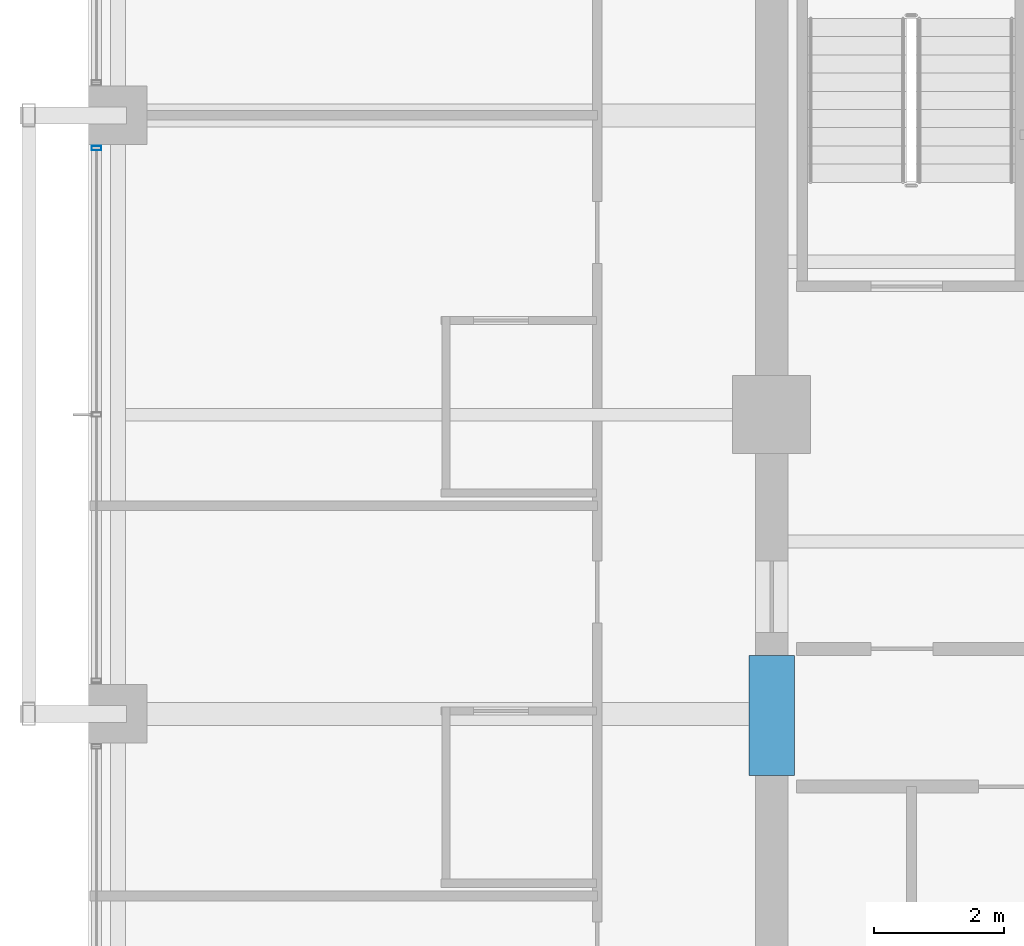
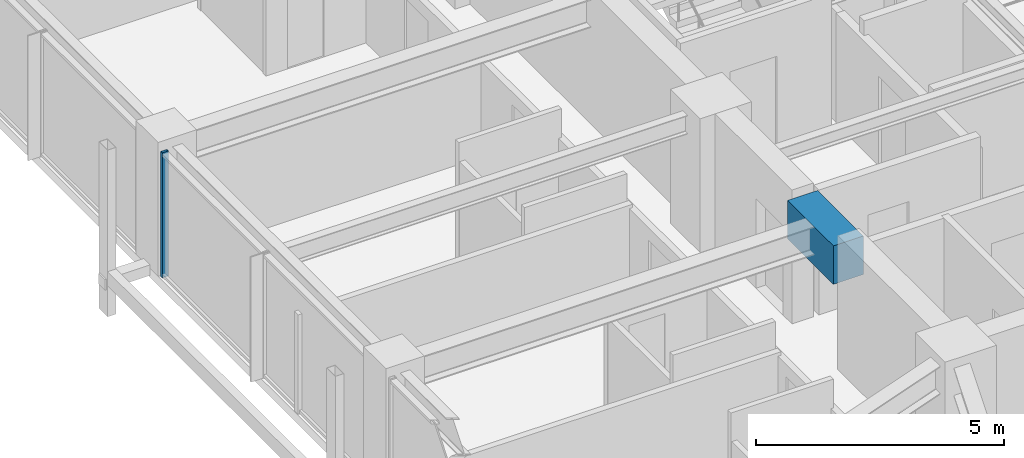
# One storey, part 9 of 37: 1 beam, 1 member, 1 element without a shape of its own.
"""IFC4 building model written with IfcOpenShell, lengths in metres."""

from ifc_helpers import new_model, si_unit, direction, frame, origin, origin_2d, place, context, subcontext, project, spatial, rectangle, hollow_rectangle, extrude, material, material_profile, profile_set, type_object, element, aggregate, save


model = new_model("IFC4")

# Units and contexts
model_context = context("Model", 3, precision=1e-05, world=origin(), true_north=direction((0.0, 1.0)))
body_context = subcontext(model_context, "Body", "Model", "MODEL_VIEW")
ifc_project = project(units=[si_unit("LENGTHUNIT", "METRE"), si_unit("AREAUNIT", "SQUARE_METRE"), si_unit("VOLUMEUNIT", "CUBIC_METRE"), si_unit("PLANEANGLEUNIT", "RADIAN"), si_unit("MASSUNIT", "GRAM", prefix="KILO")], contexts=[model_context])

# Site, building, storey
site_placement = place(None, origin())
site = spatial("IfcSite", under=ifc_project, at=site_placement, CompositionType="ELEMENT")
building_placement = place(site_placement, origin())
building = spatial("IfcBuilding", under=site, at=building_placement, Name="Kolvaren Belvedere", CompositionType="ELEMENT")
storey_placement = place(building_placement, frame((0.0, 0.0, 173.39990234375)))
storey = spatial("IfcBuildingStorey", under=building, at=storey_placement, Name="L50", CompositionType="ELEMENT", Elevation=173.39990234375)

# Beam
ifc_material_1 = material(Name="Concrete C60/75", Category="concrete")
ifc_material_profile_1 = material_profile(ifc_material_1, rectangle(XDim=0.699951171875, YDim=0.949951171875, at=origin_2d()), Name="RC 700X950")
ifc_profile_set_1 = profile_set([ifc_material_profile_1], Name="Concrete C60/75")
beam_type = type_object("IfcBeamType", Name="BM-LINT-950", PredefinedType="LINTEL", material=ifc_profile_set_1)
beam_placement = place(storey_placement, frame((-9.89990234375, -5.550048828125, 2.60498046875), z_axis=(0.0, 1.0, 0.0), x_axis=(-1.0, 0.0, 0.0)))
element("IfcBeam", 1, at=beam_placement, inside=storey, type_object=beam_type, Name="L50 West Core Coupling Lintel", PredefinedType="LINTEL", context=body_context, shape_type="SweptSolid", body=[
    extrude(rectangle(XDim=0.699951171875, YDim=0.949951171875, at=origin_2d()), origin(), (0.0, 0.0, 1.0), 1.85009765625),
])

# Curtain wall, member
ifc_material_2 = material(Name="Anodised pale-metal aluminium AA 6063-T6", Category="aluminium")
curtain_wall_type = type_object("IfcCurtainWallType", Name="CW-Z5-HIGH", PredefinedType="NOTDEFINED", material=ifc_material_2)
curtain_wall_placement = place(storey_placement, origin())
curtain_wall = element("IfcCurtainWall", 2, at=curtain_wall_placement, inside=storey, type_object=curtain_wall_type, Name="L50 Unitised Curtain Wall FCW-L50-W-B2", PredefinedType="NOTDEFINED")
ifc_material_3 = material(Name="Anodised pale-metal aluminium AA 6063-T6", Category="aluminium")
ifc_material_profile_2 = material_profile(ifc_material_3, hollow_rectangle(XDim=0.070068359375, YDim=0.14990234375, WallThickness=0.004150390625, at=origin_2d()), Name="ALU-MUL-150X70")
ifc_profile_set_2 = profile_set([ifc_material_profile_2], Name="Anodised pale-metal aluminium AA 6063-T6")
member_type = type_object("IfcMemberType", Name="CW-MUL-150", PredefinedType="MULLION", material=ifc_profile_set_2)
member_placement = place(storey_placement, frame((-20.280029296875, 4.094970703125, 0.0), z_axis=(0.0, 0.0, 1.0), x_axis=(0.0, 1.0, 0.0)))
member = element("IfcMember", 3, at=member_placement, type_object=member_type, Name="FCW-L50-W-B2 Unitised Mullion 3", PredefinedType="MULLION", context=body_context, shape_type="SweptSolid", body=[
    extrude(hollow_rectangle(XDim=0.070068359375, YDim=0.14990234375, WallThickness=0.004150390625, at=origin_2d()), origin(), (0.0, 0.0, 1.0), 3.080078125),
])
aggregate(curtain_wall, [member])

save(model, "model.ifc")
